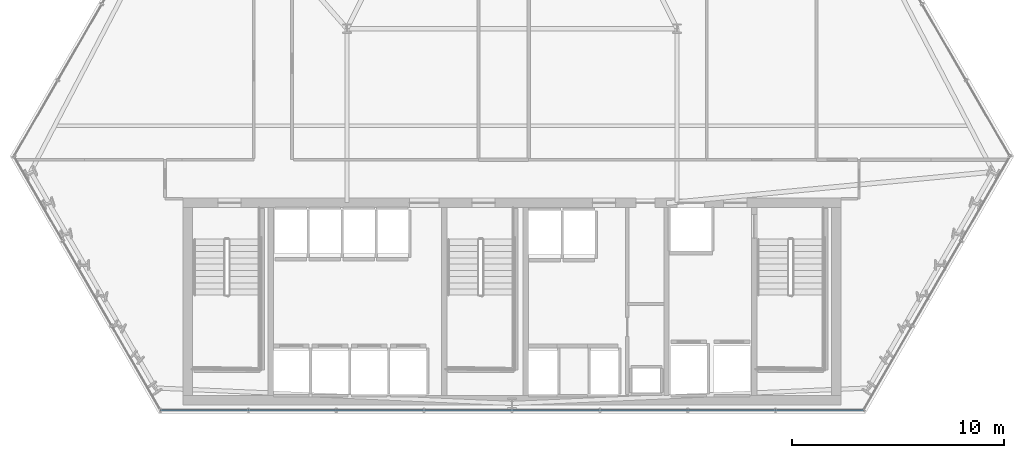
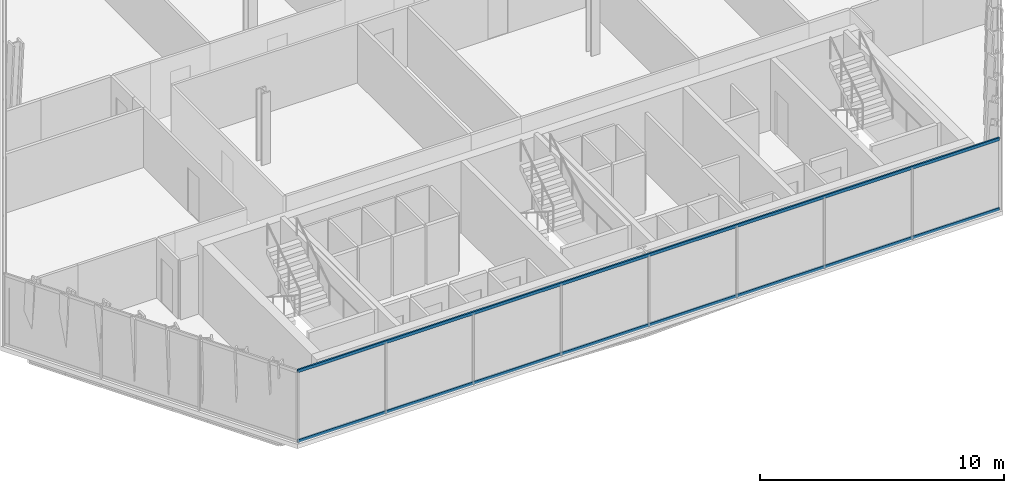
# One storey, part 8 of 32: 2 members, 1 element without a shape of its own.
"""IFC4 building model written with IfcOpenShell, lengths in metres."""

from ifc_helpers import new_model, si_unit, direction, frame, origin, origin_2d, place, context, subcontext, project, spatial, hollow_rectangle, extrude, material, layer, layer_set, material_profile, profile_set, type_object, element, aggregate, save


model = new_model("IFC4")

# Units and contexts
model_context = context("Model", 3, precision=1e-05, world=origin(), true_north=direction((0.0, 1.0)))
body_context = subcontext(model_context, "Body", "Model", "MODEL_VIEW")
ifc_project = project(units=[si_unit("LENGTHUNIT", "METRE"), si_unit("AREAUNIT", "SQUARE_METRE"), si_unit("VOLUMEUNIT", "CUBIC_METRE"), si_unit("PLANEANGLEUNIT", "RADIAN"), si_unit("MASSUNIT", "GRAM", prefix="KILO")], contexts=[model_context])

# Site, building, storey
site_placement = place(None, origin())
site = spatial("IfcSite", under=ifc_project, at=site_placement, CompositionType="ELEMENT")
building_placement = place(site_placement, origin())
building = spatial("IfcBuilding", under=site, at=building_placement, Name="Ndaravel Arena Tower", CompositionType="ELEMENT")
storey_placement = place(building_placement, frame((0.0, 0.0, 96.800048828125)))
storey = spatial("IfcBuildingStorey", under=building, at=storey_placement, Name="L22", CompositionType="ELEMENT", Elevation=96.800048828125)

# Curtain wall, members
ifc_material_1 = material(Name="Aluminium", Category="aluminium")
ifc_layer = layer(ifc_material_1, 0.179931640625)
ifc_layer_set = layer_set([ifc_layer], Name="Aluminium")
curtain_wall_type = type_object("IfcCurtainWallType", Name="CW-SYS-03", PredefinedType="NOTDEFINED", material=ifc_layer_set)
curtain_wall_placement = place(storey_placement, origin())
curtain_wall = element("IfcCurtainWall", 1, at=curtain_wall_placement, inside=storey, type_object=curtain_wall_type, Name="L22 Faceted Crystal Curtain Wall CW-L22-E01", PredefinedType="NOTDEFINED")
ifc_material_2 = material(Name="Aluminium", Category="aluminium")
ifc_material_profile = material_profile(ifc_material_2, hollow_rectangle(XDim=0.074951171875, YDim=0.14990234375, WallThickness=0.00390625, at=origin_2d()), Name="CW TRANSOM 75x150x4")
ifc_profile_set = profile_set([ifc_material_profile], Name="Aluminium")
member_type = type_object("IfcMemberType", Name="MEM-CW-TRN150", PredefinedType="USERDEFINED", material=ifc_profile_set)
member_1_placement = place(storey_placement, frame((25.3876953125, 5.159912109375, 0.0400390625), z_axis=(1.0, 0.0, 0.0), x_axis=(0.0, 1.0, 0.0)))
member_1 = element("IfcMember", 2, at=member_1_placement, type_object=member_type, Name="CW-L22-E01 Transom 01", ObjectType="TRANSOM", PredefinedType="USERDEFINED", context=body_context, shape_type="SweptSolid", body=[
    extrude(hollow_rectangle(XDim=0.074951171875, YDim=0.14990234375, WallThickness=0.00390625, at=origin_2d()), origin(), (0.0, 0.0, 1.0), 33.224609375),
])
member_2_placement = place(storey_placement, frame((25.3876953125, 5.159912109375, 3.5400390625), z_axis=(1.0, 0.0, 0.0), x_axis=(0.0, 1.0, 0.0)))
member_2 = element("IfcMember", 3, at=member_2_placement, type_object=member_type, Name="CW-L22-E01 Transom 02", ObjectType="TRANSOM", PredefinedType="USERDEFINED", context=body_context, shape_type="SweptSolid", body=[
    extrude(hollow_rectangle(XDim=0.074951171875, YDim=0.14990234375, WallThickness=0.00390625, at=origin_2d()), origin(), (0.0, 0.0, 1.0), 33.224609375),
])
aggregate(curtain_wall, [member_1, member_2])

save(model, "model.ifc")
